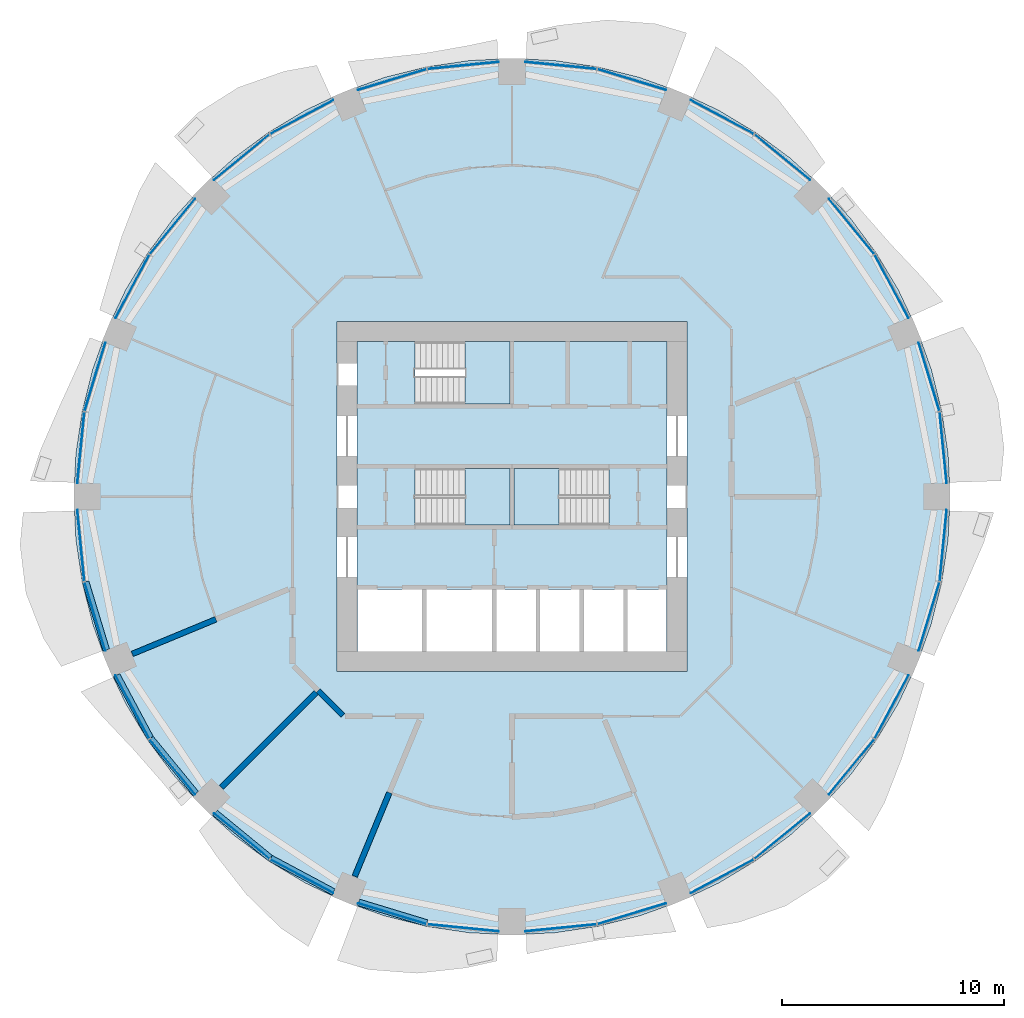
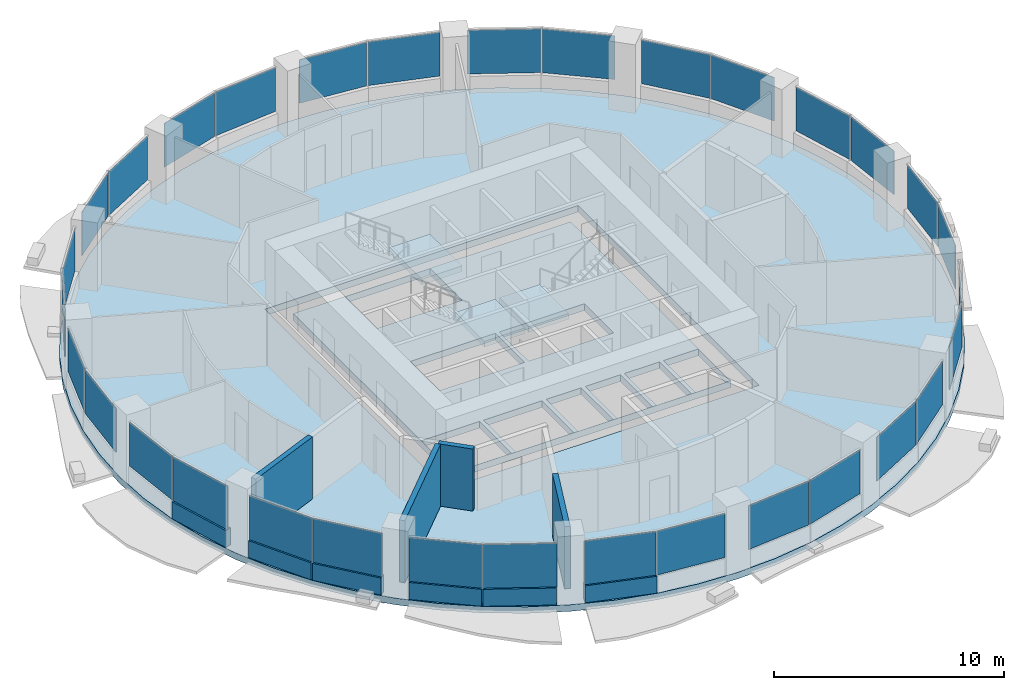
# One storey, part 7 of 15: 32 plates, 10 walls, 5 slabs, 19 elements without a shape of their own.
"""IFC4 building model written with IfcOpenShell, lengths in metres."""

from ifc_helpers import new_model, si_unit, direction, frame, frame_2d, origin, origin_2d, place, context, subcontext, project, spatial, polyline, rectangle, outline, extrude, material, layer, layer_set, type_object, element, aggregate, save


model = new_model("IFC4")

# Units and contexts
model_context = context("Model", 3, precision=1e-05, world=origin(), true_north=direction((0.0, 1.0)))
body_context = subcontext(model_context, "Body", "Model", "MODEL_VIEW")
ifc_project = project(units=[si_unit("LENGTHUNIT", "METRE"), si_unit("AREAUNIT", "SQUARE_METRE"), si_unit("VOLUMEUNIT", "CUBIC_METRE"), si_unit("PLANEANGLEUNIT", "RADIAN"), si_unit("MASSUNIT", "GRAM", prefix="KILO")], contexts=[model_context])

# Site, building, storey
site_placement = place(None, origin())
site = spatial("IfcSite", under=ifc_project, at=site_placement, CompositionType="ELEMENT")
building_placement = place(site_placement, origin())
building = spatial("IfcBuilding", under=site, at=building_placement, Name="Polderwave Tower", CompositionType="ELEMENT")
storey_placement = place(building_placement, frame((0.0, 0.0, 44.449951171875)))
storey = spatial("IfcBuildingStorey", under=building, at=storey_placement, Name="L11", CompositionType="ELEMENT", Elevation=44.449951171875)

# Slab
ifc_material_1 = material(Name="Concrete C40/50", Category="concrete")
ifc_layer_1 = layer(ifc_material_1, 0.35009765625)
ifc_layer_set_1 = layer_set([ifc_layer_1], Name="Core floor slab 350")
slab_type_1 = type_object("IfcSlabType", Name="Core floor slab 350", PredefinedType="FLOOR", material=ifc_layer_set_1)
slab_1_placement = place(storey_placement, frame((0.0, 0.0, -0.349853515625)))
element("IfcSlab", 1, at=slab_1_placement, inside=storey, type_object=slab_type_1, Name="L11 core floor", PredefinedType="FLOOR", context=body_context, shape_type="SweptSolid", body=[
    extrude(outline(polyline([(-6.97412109375, -6.97412109375), (6.97412109375, -6.97412109375), (6.97412109375, 6.97412109375), (-6.97412109375, 6.97412109375), (-6.97412109375, -6.97412109375)]), holes=[polyline([(-6.9541015625, -6.9541015625), (-4.037109375, -6.9541015625), (-4.037109375, -4.174072265625), (-6.9541015625, -4.174072265625), (-6.9541015625, -6.9541015625)]), polyline([(-3.8369140625, -6.9541015625), (-0.89990234375, -6.9541015625), (-0.89990234375, -4.174072265625), (-3.8369140625, -4.174072265625), (-3.8369140625, -6.9541015625)]), polyline([(-0.699951171875, -6.9541015625), (1.068603515625, -6.9541015625), (1.068603515625, -4.174072265625), (-0.699951171875, -4.174072265625), (-0.699951171875, -6.9541015625)]), polyline([(1.2685546875, -6.9541015625), (3.037109375, -6.9541015625), (3.037109375, -4.174072265625), (1.2685546875, -4.174072265625), (1.2685546875, -6.9541015625)]), polyline([(3.237060546875, -6.9541015625), (5.005615234375, -6.9541015625), (5.005615234375, -4.174072265625), (3.237060546875, -4.174072265625), (3.237060546875, -6.9541015625)]), polyline([(5.20556640625, -6.9541015625), (6.9541015625, -6.9541015625), (6.9541015625, -4.174072265625), (5.20556640625, -4.174072265625), (5.20556640625, -6.9541015625)]), polyline([(-4.37353515625, -1.2744140625), (-0.1005859375, -1.2744140625), (-0.1005859375, 1.2744140625), (-4.37353515625, 1.2744140625), (-4.37353515625, -1.2744140625)]), polyline([(0.1005859375, -1.2744140625), (4.37353515625, -1.2744140625), (4.37353515625, 1.2744140625), (0.1005859375, 1.2744140625), (0.1005859375, -1.2744140625)]), polyline([(-4.37353515625, 4.174560546875), (-0.1005859375, 4.174560546875), (-0.1005859375, 6.9541015625), (-4.37353515625, 6.9541015625), (-4.37353515625, 4.174560546875)])]), origin(), (0.0, 0.0, 1.0), 0.349853515625),
])

# Curtain wall, plates
ifc_material_2 = material(Name="Aluminium 6063-T6 and glass", Category="aluminium")
curtain_wall_type = type_object("IfcCurtainWallType", Name="Growing floor ribbon glazing wall", PredefinedType="NOTDEFINED", material=ifc_material_2)
curtain_wall_1_placement = place(storey_placement, origin())
curtain_wall_1 = element("IfcCurtainWall", 2, at=curtain_wall_1_placement, inside=storey, type_object=curtain_wall_type, Name="CW2 L11 00", PredefinedType="NOTDEFINED")
ifc_material_3 = material(Name="Glass, low-e laminated double glazing", Category="glass")
ifc_layer_2 = layer(ifc_material_3, 0.028076171875)
ifc_layer_set_2 = layer_set([ifc_layer_2], Name="Growing floor ribbon glazing glass panel 28 mm")
plate_type = type_object("IfcPlateType", Name="Growing floor ribbon glazing glass panel 28 mm", PredefinedType="CURTAIN_PANEL", material=ifc_layer_set_2)
plate_1_placement = place(storey_placement, frame((19.3935546875, 2.197998046875, 0.89990234375), z_axis=(0.0, 0.0, 1.0), x_axis=(-0.098098775475, 0.995176682931, 0.0)))
plate_1 = element("IfcPlate", 3, at=plate_1_placement, type_object=plate_type, Name="CW2 panel 1", PredefinedType="CURTAIN_PANEL", context=body_context, shape_type="SweptSolid", body=[
    extrude(rectangle(XDim=3.211669921875, YDim=0.028076171875, at=origin_2d()), origin(), (0.0, 0.0, 1.0), 2.320068359375),
])
plate_2_placement = place(storey_placement, frame((18.758056640625, 5.390869140625, 0.89990234375), z_axis=(0.0, 0.0, 1.0), x_axis=(-0.290374865467, 0.956912972796, 0.0)))
plate_2 = element("IfcPlate", 4, at=plate_2_placement, type_object=plate_type, Name="CW2 panel 2", PredefinedType="CURTAIN_PANEL", context=body_context, shape_type="SweptSolid", body=[
    extrude(rectangle(XDim=3.210693359375, YDim=0.028076171875, at=origin_2d()), origin(), (0.0, 0.0, 1.0), 2.320068359375),
])
aggregate(curtain_wall_1, [plate_1, plate_2])

curtain_wall_2_placement = place(storey_placement, origin())
curtain_wall_2 = element("IfcCurtainWall", 5, at=curtain_wall_2_placement, inside=storey, type_object=curtain_wall_type, Name="CW2 L11 01", PredefinedType="NOTDEFINED")
plate_3_placement = place(storey_placement, frame((17.076171875, 9.452392578125, 0.89990234375), z_axis=(0.0, 0.0, 1.0), x_axis=(-0.471356716023, 0.881942654746, 0.0)))
plate_3 = element("IfcPlate", 6, at=plate_3_placement, type_object=plate_type, Name="CW2 panel 1", PredefinedType="CURTAIN_PANEL", context=body_context, shape_type="SweptSolid", body=[
    extrude(rectangle(XDim=3.211669921875, YDim=0.028076171875, at=origin_2d()), origin(), (0.0, 0.0, 1.0), 2.320068359375),
])
plate_4_placement = place(storey_placement, frame((15.267578125, 12.1591796875, 0.89990234375), z_axis=(0.0, 0.0, 1.0), x_axis=(-0.634429710719, 0.772980557425, 0.0)))
plate_4 = element("IfcPlate", 7, at=plate_4_placement, type_object=plate_type, Name="CW2 panel 2", PredefinedType="CURTAIN_PANEL", context=body_context, shape_type="SweptSolid", body=[
    extrude(rectangle(XDim=3.210693359375, YDim=0.028076171875, at=origin_2d()), origin(), (0.0, 0.0, 1.0), 2.320068359375),
])
aggregate(curtain_wall_2, [plate_3, plate_4])

curtain_wall_3_placement = place(storey_placement, origin())
curtain_wall_3 = element("IfcCurtainWall", 8, at=curtain_wall_3_placement, inside=storey, type_object=curtain_wall_type, Name="CW2 L11 02", PredefinedType="NOTDEFINED")
plate_5_placement = place(storey_placement, frame((12.1591796875, 15.267578125, 0.89990234375), z_axis=(0.0, 0.0, 1.0), x_axis=(-0.772980557425, 0.634429710719, 0.0)))
plate_5 = element("IfcPlate", 9, at=plate_5_placement, type_object=plate_type, Name="CW2 panel 1", PredefinedType="CURTAIN_PANEL", context=body_context, shape_type="SweptSolid", body=[
    extrude(rectangle(XDim=3.210693359375, YDim=0.028076171875, at=origin_2d()), origin(), (0.0, 0.0, 1.0), 2.320068359375),
])
plate_6_placement = place(storey_placement, frame((9.452392578125, 17.076171875, 0.89990234375), z_axis=(0.0, 0.0, 1.0), x_axis=(-0.881942654746, 0.471356716023, 0.0)))
plate_6 = element("IfcPlate", 10, at=plate_6_placement, type_object=plate_type, Name="CW2 panel 2", PredefinedType="CURTAIN_PANEL", context=body_context, shape_type="SweptSolid", body=[
    extrude(rectangle(XDim=3.211669921875, YDim=0.028076171875, at=origin_2d()), origin(), (0.0, 0.0, 1.0), 2.320068359375),
])
aggregate(curtain_wall_3, [plate_5, plate_6])

curtain_wall_4_placement = place(storey_placement, origin())
curtain_wall_4 = element("IfcCurtainWall", 11, at=curtain_wall_4_placement, inside=storey, type_object=curtain_wall_type, Name="CW2 L11 03", PredefinedType="NOTDEFINED")
plate_7_placement = place(storey_placement, frame((5.390869140625, 18.758056640625, 0.89990234375), z_axis=(0.0, 0.0, 1.0), x_axis=(-0.956912972796, 0.290374865467, 0.0)))
plate_7 = element("IfcPlate", 12, at=plate_7_placement, type_object=plate_type, Name="CW2 panel 1", PredefinedType="CURTAIN_PANEL", context=body_context, shape_type="SweptSolid", body=[
    extrude(rectangle(XDim=3.210693359375, YDim=0.028076171875, at=origin_2d()), origin(), (0.0, 0.0, 1.0), 2.320068359375),
])
plate_8_placement = place(storey_placement, frame((2.197998046875, 19.3935546875, 0.89990234375), z_axis=(0.0, 0.0, 1.0), x_axis=(-0.995176682931, 0.098098775475, 0.0)))
plate_8 = element("IfcPlate", 13, at=plate_8_placement, type_object=plate_type, Name="CW2 panel 2", PredefinedType="CURTAIN_PANEL", context=body_context, shape_type="SweptSolid", body=[
    extrude(rectangle(XDim=3.211669921875, YDim=0.028076171875, at=origin_2d()), origin(), (0.0, 0.0, 1.0), 2.320068359375),
])
aggregate(curtain_wall_4, [plate_7, plate_8])

curtain_wall_5_placement = place(storey_placement, origin())
curtain_wall_5 = element("IfcCurtainWall", 14, at=curtain_wall_5_placement, inside=storey, type_object=curtain_wall_type, Name="CW2 L11 04", PredefinedType="NOTDEFINED")
plate_9_placement = place(storey_placement, frame((-2.197998046875, 19.3935546875, 0.89990234375), z_axis=(0.0, 0.0, 1.0), x_axis=(-0.995176682931, -0.098098775475, 0.0)))
plate_9 = element("IfcPlate", 15, at=plate_9_placement, type_object=plate_type, Name="CW2 panel 1", PredefinedType="CURTAIN_PANEL", context=body_context, shape_type="SweptSolid", body=[
    extrude(rectangle(XDim=3.211669921875, YDim=0.028076171875, at=origin_2d()), origin(), (0.0, 0.0, 1.0), 2.320068359375),
])
plate_10_placement = place(storey_placement, frame((-5.390869140625, 18.758056640625, 0.89990234375), z_axis=(0.0, 0.0, 1.0), x_axis=(-0.956912972796, -0.290374865467, 0.0)))
plate_10 = element("IfcPlate", 16, at=plate_10_placement, type_object=plate_type, Name="CW2 panel 2", PredefinedType="CURTAIN_PANEL", context=body_context, shape_type="SweptSolid", body=[
    extrude(rectangle(XDim=3.210693359375, YDim=0.028076171875, at=origin_2d()), origin(), (0.0, 0.0, 1.0), 2.320068359375),
])
aggregate(curtain_wall_5, [plate_9, plate_10])

curtain_wall_6_placement = place(storey_placement, origin())
curtain_wall_6 = element("IfcCurtainWall", 17, at=curtain_wall_6_placement, inside=storey, type_object=curtain_wall_type, Name="CW2 L11 05", PredefinedType="NOTDEFINED")
plate_11_placement = place(storey_placement, frame((-9.452392578125, 17.076171875, 0.89990234375), z_axis=(0.0, 0.0, 1.0), x_axis=(-0.881942654746, -0.471356716023, 0.0)))
plate_11 = element("IfcPlate", 18, at=plate_11_placement, type_object=plate_type, Name="CW2 panel 1", PredefinedType="CURTAIN_PANEL", context=body_context, shape_type="SweptSolid", body=[
    extrude(rectangle(XDim=3.211669921875, YDim=0.028076171875, at=origin_2d()), origin(), (0.0, 0.0, 1.0), 2.320068359375),
])
plate_12_placement = place(storey_placement, frame((-12.1591796875, 15.267578125, 0.89990234375), z_axis=(0.0, 0.0, 1.0), x_axis=(-0.772980557425, -0.634429710719, 0.0)))
plate_12 = element("IfcPlate", 19, at=plate_12_placement, type_object=plate_type, Name="CW2 panel 2", PredefinedType="CURTAIN_PANEL", context=body_context, shape_type="SweptSolid", body=[
    extrude(rectangle(XDim=3.210693359375, YDim=0.028076171875, at=origin_2d()), origin(), (0.0, 0.0, 1.0), 2.320068359375),
])
aggregate(curtain_wall_6, [plate_11, plate_12])

curtain_wall_7_placement = place(storey_placement, origin())
curtain_wall_7 = element("IfcCurtainWall", 20, at=curtain_wall_7_placement, inside=storey, type_object=curtain_wall_type, Name="CW2 L11 06", PredefinedType="NOTDEFINED")
plate_13_placement = place(storey_placement, frame((-15.267578125, 12.1591796875, 0.89990234375), z_axis=(0.0, 0.0, 1.0), x_axis=(-0.634429710719, -0.772980557425, 0.0)))
plate_13 = element("IfcPlate", 21, at=plate_13_placement, type_object=plate_type, Name="CW2 panel 1", PredefinedType="CURTAIN_PANEL", context=body_context, shape_type="SweptSolid", body=[
    extrude(rectangle(XDim=3.210693359375, YDim=0.028076171875, at=origin_2d()), origin(), (0.0, 0.0, 1.0), 2.320068359375),
])
plate_14_placement = place(storey_placement, frame((-17.076171875, 9.452392578125, 0.89990234375), z_axis=(0.0, 0.0, 1.0), x_axis=(-0.471356716023, -0.881942654746, 0.0)))
plate_14 = element("IfcPlate", 22, at=plate_14_placement, type_object=plate_type, Name="CW2 panel 2", PredefinedType="CURTAIN_PANEL", context=body_context, shape_type="SweptSolid", body=[
    extrude(rectangle(XDim=3.211669921875, YDim=0.028076171875, at=origin_2d()), origin(), (0.0, 0.0, 1.0), 2.320068359375),
])
aggregate(curtain_wall_7, [plate_13, plate_14])

curtain_wall_8_placement = place(storey_placement, origin())
curtain_wall_8 = element("IfcCurtainWall", 23, at=curtain_wall_8_placement, inside=storey, type_object=curtain_wall_type, Name="CW2 L11 07", PredefinedType="NOTDEFINED")
plate_15_placement = place(storey_placement, frame((-18.758056640625, 5.390869140625, 0.89990234375), z_axis=(0.0, 0.0, 1.0), x_axis=(-0.290374865467, -0.956912972796, 0.0)))
plate_15 = element("IfcPlate", 24, at=plate_15_placement, type_object=plate_type, Name="CW2 panel 1", PredefinedType="CURTAIN_PANEL", context=body_context, shape_type="SweptSolid", body=[
    extrude(rectangle(XDim=3.210693359375, YDim=0.028076171875, at=origin_2d()), origin(), (0.0, 0.0, 1.0), 2.320068359375),
])
plate_16_placement = place(storey_placement, frame((-19.3935546875, 2.197998046875, 0.89990234375), z_axis=(0.0, 0.0, 1.0), x_axis=(-0.098098775475, -0.995176682931, 0.0)))
plate_16 = element("IfcPlate", 25, at=plate_16_placement, type_object=plate_type, Name="CW2 panel 2", PredefinedType="CURTAIN_PANEL", context=body_context, shape_type="SweptSolid", body=[
    extrude(rectangle(XDim=3.211669921875, YDim=0.028076171875, at=origin_2d()), origin(), (0.0, 0.0, 1.0), 2.320068359375),
])
aggregate(curtain_wall_8, [plate_15, plate_16])

curtain_wall_9_placement = place(storey_placement, origin())
curtain_wall_9 = element("IfcCurtainWall", 26, at=curtain_wall_9_placement, inside=storey, type_object=curtain_wall_type, Name="CW2 L11 08", PredefinedType="NOTDEFINED")
plate_17_placement = place(storey_placement, frame((-19.3935546875, -2.197998046875, 0.89990234375), z_axis=(0.0, 0.0, 1.0), x_axis=(0.098098775475, -0.995176682931, 0.0)))
plate_17 = element("IfcPlate", 27, at=plate_17_placement, type_object=plate_type, Name="CW2 panel 1", PredefinedType="CURTAIN_PANEL", context=body_context, shape_type="SweptSolid", body=[
    extrude(rectangle(XDim=3.211669921875, YDim=0.028076171875, at=origin_2d()), origin(), (0.0, 0.0, 1.0), 2.320068359375),
])
plate_18_placement = place(storey_placement, frame((-18.758056640625, -5.390869140625, 0.89990234375), z_axis=(0.0, 0.0, 1.0), x_axis=(0.290374865467, -0.956912972796, 0.0)))
plate_18 = element("IfcPlate", 28, at=plate_18_placement, type_object=plate_type, Name="CW2 panel 2", PredefinedType="CURTAIN_PANEL", context=body_context, shape_type="SweptSolid", body=[
    extrude(rectangle(XDim=3.210693359375, YDim=0.028076171875, at=origin_2d()), origin(), (0.0, 0.0, 1.0), 2.320068359375),
])
aggregate(curtain_wall_9, [plate_17, plate_18])

curtain_wall_10_placement = place(storey_placement, origin())
curtain_wall_10 = element("IfcCurtainWall", 29, at=curtain_wall_10_placement, inside=storey, type_object=curtain_wall_type, Name="CW2 L11 09", PredefinedType="NOTDEFINED")
plate_19_placement = place(storey_placement, frame((-17.076171875, -9.452392578125, 0.89990234375), z_axis=(0.0, 0.0, 1.0), x_axis=(0.471356716023, -0.881942654746, 0.0)))
plate_19 = element("IfcPlate", 30, at=plate_19_placement, type_object=plate_type, Name="CW2 panel 1", PredefinedType="CURTAIN_PANEL", context=body_context, shape_type="SweptSolid", body=[
    extrude(rectangle(XDim=3.211669921875, YDim=0.028076171875, at=origin_2d()), origin(), (0.0, 0.0, 1.0), 2.320068359375),
])
plate_20_placement = place(storey_placement, frame((-15.267578125, -12.1591796875, 0.89990234375), z_axis=(0.0, 0.0, 1.0), x_axis=(0.634429710719, -0.772980557425, 0.0)))
plate_20 = element("IfcPlate", 31, at=plate_20_placement, type_object=plate_type, Name="CW2 panel 2", PredefinedType="CURTAIN_PANEL", context=body_context, shape_type="SweptSolid", body=[
    extrude(rectangle(XDim=3.210693359375, YDim=0.028076171875, at=origin_2d()), origin(), (0.0, 0.0, 1.0), 2.320068359375),
])
aggregate(curtain_wall_10, [plate_19, plate_20])

curtain_wall_11_placement = place(storey_placement, origin())
curtain_wall_11 = element("IfcCurtainWall", 32, at=curtain_wall_11_placement, inside=storey, type_object=curtain_wall_type, Name="CW2 L11 10", PredefinedType="NOTDEFINED")
plate_21_placement = place(storey_placement, frame((-12.1591796875, -15.267578125, 0.89990234375), z_axis=(0.0, 0.0, 1.0), x_axis=(0.772980557425, -0.634429710719, 0.0)))
plate_21 = element("IfcPlate", 33, at=plate_21_placement, type_object=plate_type, Name="CW2 panel 1", PredefinedType="CURTAIN_PANEL", context=body_context, shape_type="SweptSolid", body=[
    extrude(rectangle(XDim=3.210693359375, YDim=0.028076171875, at=origin_2d()), origin(), (0.0, 0.0, 1.0), 2.320068359375),
])
plate_22_placement = place(storey_placement, frame((-9.452392578125, -17.076171875, 0.89990234375), z_axis=(0.0, 0.0, 1.0), x_axis=(0.881942654746, -0.471356716023, 0.0)))
plate_22 = element("IfcPlate", 34, at=plate_22_placement, type_object=plate_type, Name="CW2 panel 2", PredefinedType="CURTAIN_PANEL", context=body_context, shape_type="SweptSolid", body=[
    extrude(rectangle(XDim=3.211669921875, YDim=0.028076171875, at=origin_2d()), origin(), (0.0, 0.0, 1.0), 2.320068359375),
])
aggregate(curtain_wall_11, [plate_21, plate_22])

curtain_wall_12_placement = place(storey_placement, origin())
curtain_wall_12 = element("IfcCurtainWall", 35, at=curtain_wall_12_placement, inside=storey, type_object=curtain_wall_type, Name="CW2 L11 11", PredefinedType="NOTDEFINED")
plate_23_placement = place(storey_placement, frame((-5.390869140625, -18.758056640625, 0.89990234375), z_axis=(0.0, 0.0, 1.0), x_axis=(0.956912972796, -0.290374865467, 0.0)))
plate_23 = element("IfcPlate", 36, at=plate_23_placement, type_object=plate_type, Name="CW2 panel 1", PredefinedType="CURTAIN_PANEL", context=body_context, shape_type="SweptSolid", body=[
    extrude(rectangle(XDim=3.210693359375, YDim=0.028076171875, at=origin_2d()), origin(), (0.0, 0.0, 1.0), 2.320068359375),
])
plate_24_placement = place(storey_placement, frame((-2.197998046875, -19.3935546875, 0.89990234375), z_axis=(0.0, 0.0, 1.0), x_axis=(0.995176682931, -0.098098775475, 0.0)))
plate_24 = element("IfcPlate", 37, at=plate_24_placement, type_object=plate_type, Name="CW2 panel 2", PredefinedType="CURTAIN_PANEL", context=body_context, shape_type="SweptSolid", body=[
    extrude(rectangle(XDim=3.211669921875, YDim=0.028076171875, at=origin_2d()), origin(), (0.0, 0.0, 1.0), 2.320068359375),
])
aggregate(curtain_wall_12, [plate_23, plate_24])

curtain_wall_13_placement = place(storey_placement, origin())
curtain_wall_13 = element("IfcCurtainWall", 38, at=curtain_wall_13_placement, inside=storey, type_object=curtain_wall_type, Name="CW2 L11 12", PredefinedType="NOTDEFINED")
plate_25_placement = place(storey_placement, frame((2.197998046875, -19.3935546875, 0.89990234375), z_axis=(0.0, 0.0, 1.0), x_axis=(0.995176682931, 0.098098775475, 0.0)))
plate_25 = element("IfcPlate", 39, at=plate_25_placement, type_object=plate_type, Name="CW2 panel 1", PredefinedType="CURTAIN_PANEL", context=body_context, shape_type="SweptSolid", body=[
    extrude(rectangle(XDim=3.211669921875, YDim=0.028076171875, at=origin_2d()), origin(), (0.0, 0.0, 1.0), 2.320068359375),
])
plate_26_placement = place(storey_placement, frame((5.390869140625, -18.758056640625, 0.89990234375), z_axis=(0.0, 0.0, 1.0), x_axis=(0.956912972796, 0.290374865467, 0.0)))
plate_26 = element("IfcPlate", 40, at=plate_26_placement, type_object=plate_type, Name="CW2 panel 2", PredefinedType="CURTAIN_PANEL", context=body_context, shape_type="SweptSolid", body=[
    extrude(rectangle(XDim=3.210693359375, YDim=0.028076171875, at=origin_2d()), origin(), (0.0, 0.0, 1.0), 2.320068359375),
])
aggregate(curtain_wall_13, [plate_25, plate_26])

curtain_wall_14_placement = place(storey_placement, origin())
curtain_wall_14 = element("IfcCurtainWall", 41, at=curtain_wall_14_placement, inside=storey, type_object=curtain_wall_type, Name="CW2 L11 13", PredefinedType="NOTDEFINED")
plate_27_placement = place(storey_placement, frame((9.452392578125, -17.076171875, 0.89990234375), z_axis=(0.0, 0.0, 1.0), x_axis=(0.881942654746, 0.471356716023, 0.0)))
plate_27 = element("IfcPlate", 42, at=plate_27_placement, type_object=plate_type, Name="CW2 panel 1", PredefinedType="CURTAIN_PANEL", context=body_context, shape_type="SweptSolid", body=[
    extrude(rectangle(XDim=3.211669921875, YDim=0.028076171875, at=origin_2d()), origin(), (0.0, 0.0, 1.0), 2.320068359375),
])
plate_28_placement = place(storey_placement, frame((12.1591796875, -15.267578125, 0.89990234375), z_axis=(0.0, 0.0, 1.0), x_axis=(0.772980557425, 0.634429710719, 0.0)))
plate_28 = element("IfcPlate", 43, at=plate_28_placement, type_object=plate_type, Name="CW2 panel 2", PredefinedType="CURTAIN_PANEL", context=body_context, shape_type="SweptSolid", body=[
    extrude(rectangle(XDim=3.210693359375, YDim=0.028076171875, at=origin_2d()), origin(), (0.0, 0.0, 1.0), 2.320068359375),
])
aggregate(curtain_wall_14, [plate_27, plate_28])

curtain_wall_15_placement = place(storey_placement, origin())
curtain_wall_15 = element("IfcCurtainWall", 44, at=curtain_wall_15_placement, inside=storey, type_object=curtain_wall_type, Name="CW2 L11 14", PredefinedType="NOTDEFINED")
plate_29_placement = place(storey_placement, frame((15.267578125, -12.1591796875, 0.89990234375), z_axis=(0.0, 0.0, 1.0), x_axis=(0.634429710719, 0.772980557425, 0.0)))
plate_29 = element("IfcPlate", 45, at=plate_29_placement, type_object=plate_type, Name="CW2 panel 1", PredefinedType="CURTAIN_PANEL", context=body_context, shape_type="SweptSolid", body=[
    extrude(rectangle(XDim=3.210693359375, YDim=0.028076171875, at=origin_2d()), origin(), (0.0, 0.0, 1.0), 2.320068359375),
])
plate_30_placement = place(storey_placement, frame((17.076171875, -9.452392578125, 0.89990234375), z_axis=(0.0, 0.0, 1.0), x_axis=(0.471356716023, 0.881942654746, 0.0)))
plate_30 = element("IfcPlate", 46, at=plate_30_placement, type_object=plate_type, Name="CW2 panel 2", PredefinedType="CURTAIN_PANEL", context=body_context, shape_type="SweptSolid", body=[
    extrude(rectangle(XDim=3.211669921875, YDim=0.028076171875, at=origin_2d()), origin(), (0.0, 0.0, 1.0), 2.320068359375),
])
aggregate(curtain_wall_15, [plate_29, plate_30])

curtain_wall_16_placement = place(storey_placement, origin())
curtain_wall_16 = element("IfcCurtainWall", 47, at=curtain_wall_16_placement, inside=storey, type_object=curtain_wall_type, Name="CW2 L11 15", PredefinedType="NOTDEFINED")
plate_31_placement = place(storey_placement, frame((18.758056640625, -5.390869140625, 0.89990234375), z_axis=(0.0, 0.0, 1.0), x_axis=(0.290374865467, 0.956912972796, 0.0)))
plate_31 = element("IfcPlate", 48, at=plate_31_placement, type_object=plate_type, Name="CW2 panel 1", PredefinedType="CURTAIN_PANEL", context=body_context, shape_type="SweptSolid", body=[
    extrude(rectangle(XDim=3.210693359375, YDim=0.028076171875, at=origin_2d()), origin(), (0.0, 0.0, 1.0), 2.320068359375),
])
plate_32_placement = place(storey_placement, frame((19.3935546875, -2.197998046875, 0.89990234375), z_axis=(0.0, 0.0, 1.0), x_axis=(0.098098775475, 0.995176682931, 0.0)))
plate_32 = element("IfcPlate", 49, at=plate_32_placement, type_object=plate_type, Name="CW2 panel 2", PredefinedType="CURTAIN_PANEL", context=body_context, shape_type="SweptSolid", body=[
    extrude(rectangle(XDim=3.211669921875, YDim=0.028076171875, at=origin_2d()), origin(), (0.0, 0.0, 1.0), 2.320068359375),
])
aggregate(curtain_wall_16, [plate_31, plate_32])

# Slab
ifc_layer_3 = layer(ifc_material_1, 0.35009765625)
ifc_layer_set_3 = layer_set([ifc_layer_3], Name="PT FLOOR SLAB 350 C40/50")
slab_type_2 = type_object("IfcSlabType", Name="PT FLOOR SLAB 350 C40/50", PredefinedType="FLOOR", material=ifc_layer_set_3)
slab_2_placement = place(storey_placement, frame((0.0, 0.0, -0.349853515625)))
element("IfcSlab", 50, at=slab_2_placement, inside=storey, type_object=slab_type_2, Name="ST-SLAB-L11", PredefinedType="FLOOR", context=body_context, shape_type="SweptSolid", body=[
    extrude(outline(polyline([(19.7099609375, 0.0), (19.614990234375, 1.931884765625), (19.331298828125, 3.84521484375), (18.861328125, 5.721435546875), (18.209716796875, 7.542724609375), (17.3828125, 9.291259765625), (16.38818359375, 10.9501953125), (15.236083984375, 12.50390625), (13.93701171875, 13.93701171875), (12.50390625, 15.236083984375), (10.9501953125, 16.38818359375), (9.291259765625, 17.3828125), (7.542724609375, 18.209716796875), (5.721435546875, 18.861328125), (3.84521484375, 19.331298828125), (1.931884765625, 19.614990234375), (0.0, 19.7099609375), (-1.931884765625, 19.614990234375), (-3.84521484375, 19.331298828125), (-5.721435546875, 18.861328125), (-7.542724609375, 18.209716796875), (-9.291259765625, 17.3828125), (-10.9501953125, 16.38818359375), (-12.50390625, 15.236083984375), (-13.93701171875, 13.93701171875), (-15.236083984375, 12.50390625), (-16.38818359375, 10.9501953125), (-17.3828125, 9.291259765625), (-18.209716796875, 7.542724609375), (-18.861328125, 5.721435546875), (-19.331298828125, 3.84521484375), (-19.614990234375, 1.931884765625), (-19.7099609375, 0.0), (-19.614990234375, -1.931884765625), (-19.331298828125, -3.84521484375), (-18.861328125, -5.721435546875), (-18.209716796875, -7.542724609375), (-17.3828125, -9.291259765625), (-16.38818359375, -10.9501953125), (-15.236083984375, -12.50390625), (-13.93701171875, -13.93701171875), (-12.50390625, -15.236083984375), (-10.9501953125, -16.38818359375), (-9.291259765625, -17.3828125), (-7.542724609375, -18.209716796875), (-5.721435546875, -18.861328125), (-3.84521484375, -19.331298828125), (-1.931884765625, -19.614990234375), (0.0, -19.7099609375), (1.931884765625, -19.614990234375), (3.84521484375, -19.331298828125), (5.721435546875, -18.861328125), (7.542724609375, -18.209716796875), (9.291259765625, -17.3828125), (10.9501953125, -16.38818359375), (12.50390625, -15.236083984375), (13.93701171875, -13.93701171875), (15.236083984375, -12.50390625), (16.38818359375, -10.9501953125), (17.3828125, -9.291259765625), (18.209716796875, -7.542724609375), (18.861328125, -5.721435546875), (19.331298828125, -3.84521484375), (19.614990234375, -1.931884765625), (19.7099609375, 0.0)]), holes=[polyline([(-7.8740234375, -7.8740234375), (7.8740234375, -7.8740234375), (7.8740234375, 7.8740234375), (-7.8740234375, 7.8740234375), (-7.8740234375, -7.8740234375)])]), origin(), (0.0, 0.0, 1.0), 0.349853515625),
])

# Stair, slab
stair_type = type_object("IfcStairType", Name="Exit stair 1200 x 20 risers", PredefinedType="HALF_TURN_STAIR", material=ifc_material_1)
stair_1_placement = place(storey_placement, origin())
stair_1 = element("IfcStair", 51, at=stair_1_placement, inside=storey, type_object=stair_type, Name="L11 Exit stair A", PredefinedType="HALF_TURN_STAIR")
ifc_layer_4 = layer(ifc_material_1, 0.300048828125)
ifc_layer_set_4 = layer_set([ifc_layer_4], Name="Stair landing 300")
slab_type_3 = type_object("IfcSlabType", Name="Stair landing 300", PredefinedType="LANDING", material=ifc_layer_set_4)
slab_3_placement = place(storey_placement, frame((0.0, 0.0, 1.525146484375)))
slab_3 = element("IfcSlab", 52, at=slab_3_placement, type_object=slab_type_3, Name="ST-A landing 1", PredefinedType="LANDING", context=body_context, shape_type="SweptSolid", body=[
    extrude(outline(polyline([(-2.1240234375, -1.27490234375), (-0.10009765625, -1.27490234375), (-0.10009765625, 1.27490234375), (-2.1240234375, 1.27490234375), (-2.1240234375, -1.27490234375)])), origin(), (0.0, 0.0, 1.0), 0.2998046875),
])
aggregate(stair_1, [slab_3])

stair_2_placement = place(storey_placement, origin())
stair_2 = element("IfcStair", 53, at=stair_2_placement, inside=storey, type_object=stair_type, Name="L11 Exit stair B", PredefinedType="HALF_TURN_STAIR")
slab_4_placement = place(storey_placement, frame((0.0, 0.0, 1.525146484375)))
slab_4 = element("IfcSlab", 54, at=slab_4_placement, type_object=slab_type_3, Name="ST-B landing 1", PredefinedType="LANDING", context=body_context, shape_type="SweptSolid", body=[
    extrude(outline(polyline([(2.1240234375, 1.27490234375), (0.10009765625, 1.27490234375), (0.10009765625, -1.27490234375), (2.1240234375, -1.27490234375), (2.1240234375, 1.27490234375)])), origin(), (0.0, 0.0, 1.0), 0.2998046875),
])
aggregate(stair_2, [slab_4])

stair_3_placement = place(storey_placement, origin())
stair_3 = element("IfcStair", 55, at=stair_3_placement, inside=storey, type_object=stair_type, Name="L11 Exit stair C", PredefinedType="HALF_TURN_STAIR")
slab_5_placement = place(storey_placement, frame((0.0, 0.0, 1.525146484375)))
slab_5 = element("IfcSlab", 56, at=slab_5_placement, type_object=slab_type_3, Name="ST-C landing 1", PredefinedType="LANDING", context=body_context, shape_type="SweptSolid", body=[
    extrude(outline(polyline([(-2.1240234375, 4.174072265625), (-0.10009765625, 4.174072265625), (-0.10009765625, 6.97412109375), (-2.1240234375, 6.97412109375), (-2.1240234375, 4.174072265625)])), origin(), (0.0, 0.0, 1.0), 0.2998046875),
])
aggregate(stair_3, [slab_5])

# Walls
ifc_material_4 = material(Name="Concrete C50/60 (board-marked)", Category="concrete")
ifc_layer_5 = layer(ifc_material_4, 0.300048828125)
ifc_layer_set_5 = layer_set([ifc_layer_5], Name="Concrete spandrel upstand C50/60")
wall_type_1 = type_object("IfcWallType", Name="Concrete spandrel upstand C50/60", PredefinedType="SOLIDWALL", material=ifc_layer_set_5)
wall_1_placement = place(storey_placement, frame((-19.1796875, -3.830322265625, 0.0), z_axis=(0.0, 0.0, 1.0), x_axis=(0.290472877795, -0.956883225512, 0.0)))
element("IfcWall", 57, at=wall_1_placement, inside=storey, type_object=wall_type_1, Name="Spandrel L11 9b", PredefinedType="SOLIDWALL", context=body_context, shape_type="SweptSolid", body=[
    extrude(rectangle(XDim=3.202392578125, YDim=0.300048828125, at=frame_2d((1.60107421875, 0.0))), origin(), (0.0, 0.0, 1.0), 0.900146484375),
])
wall_2_placement = place(storey_placement, frame((-17.77978515625, -8.0283203125, 0.0), z_axis=(0.0, 0.0, 1.0), x_axis=(0.471284265614, -0.881981372243, 0.0)))
element("IfcWall", 58, at=wall_2_placement, inside=storey, type_object=wall_type_1, Name="Spandrel L11 10a", PredefinedType="SOLIDWALL", context=body_context, shape_type="SweptSolid", body=[
    extrude(rectangle(XDim=3.20361328125, YDim=0.300048828125, at=frame_2d((1.601806640625, 0.0))), origin(), (0.0, 0.0, 1.0), 0.900146484375),
])
for number, where, z_axis, x_axis, name in (
    (59, (-16.25341796875, -10.878662109375, 0.0), (0.0, 0.0, 1.0), (0.634233658611, -0.773141427091, 0.0), "Spandrel L11 10b"),
    (60, (-13.3544921875, -14.222412109375, 0.0), (0.0, 0.0, 1.0), (0.773141427091, -0.634233658611, 0.0), "Spandrel L11 11a"),
):
    element("IfcWall", number, at=place(storey_placement, frame(where, z_axis=z_axis, x_axis=x_axis)), inside=storey, type_object=wall_type_1, Name=name, PredefinedType="SOLIDWALL", context=body_context, shape_type="SweptSolid", body=[
        extrude(rectangle(XDim=3.202392578125, YDim=0.300048828125, at=frame_2d((1.60107421875, 0.0))), origin(), (0.0, 0.0, 1.0), 0.900146484375),
    ])
wall_3_placement = place(storey_placement, frame((-10.853759765625, -16.27001953125, 0.0), z_axis=(0.0, 0.0, 1.0), x_axis=(0.881981372243, -0.471284265614, 0.0)))
element("IfcWall", 61, at=wall_3_placement, inside=storey, type_object=wall_type_1, Name="Spandrel L11 11b", PredefinedType="SOLIDWALL", context=body_context, shape_type="SweptSolid", body=[
    extrude(rectangle(XDim=3.20361328125, YDim=0.300048828125, at=frame_2d((1.601806640625, 0.0))), origin(), (0.0, 0.0, 1.0), 0.900146484375),
])
wall_4_placement = place(storey_placement, frame((-6.89453125, -18.24951171875, 0.0), z_axis=(0.0, 0.0, 1.0), x_axis=(0.956883225512, -0.290472877795, 0.0)))
element("IfcWall", 62, at=wall_4_placement, inside=storey, type_object=wall_type_1, Name="Spandrel L11 12a", PredefinedType="SOLIDWALL", context=body_context, shape_type="SweptSolid", body=[
    extrude(rectangle(XDim=3.202392578125, YDim=0.300048828125, at=frame_2d((1.60107421875, 0.0))), origin(), (0.0, 0.0, 1.0), 0.900146484375),
])
ifc_material_5 = material(Name="Fire-resisting board on steel studs, mineral wool", Category="steel")
ifc_layer_6 = layer(ifc_material_5, 0.25)
ifc_layer_set_6 = layer_set([ifc_layer_6], Name="Plant room wall 250 mm EI 120")
wall_type_2 = type_object("IfcWallType", Name="Plant room wall 250 mm EI 120", PredefinedType="PARTITIONING", material=ifc_layer_set_6)
wall_5_placement = place(storey_placement, frame((-7.607666015625, -9.83740234375, 0.0), z_axis=(0.0, 0.0, 1.0), x_axis=(-0.707029353672, 0.707184200224, 0.0)))
element("IfcWall", 63, at=wall_5_placement, inside=storey, type_object=wall_type_2, Name="IN-L11-W016", PredefinedType="PARTITIONING", context=body_context, shape_type="SweptSolid", body=[
    extrude(rectangle(XDim=1.57666015625, YDim=0.25, at=frame_2d((0.788330078125, 0.0))), origin(), (0.0, 0.0, 1.0), 3.300048828125),
])
wall_6_placement = place(storey_placement, frame((-13.31298828125, -5.514404296875, 0.0), z_axis=(0.0, 0.0, 1.0), x_axis=(-0.923873536763, -0.382697907061, 0.0)))
element("IfcWall", 64, at=wall_6_placement, inside=storey, type_object=wall_type_2, Name="IN-L11-W053", PredefinedType="PARTITIONING", context=body_context, shape_type="SweptSolid", body=[
    extrude(rectangle(XDim=4.070068359375, YDim=0.25, at=frame_2d((2.03515625, 0.0))), origin(), (0.0, 0.0, 1.0), 3.300048828125),
])
wall_7_placement = place(storey_placement, frame((-13.0673828125, -13.0673828125, 0.0), z_axis=(0.0, 0.0, 1.0), x_axis=(0.707106781187, 0.707106781187, 0.0)))
element("IfcWall", 65, at=wall_7_placement, inside=storey, type_object=wall_type_2, Name="IN-L11-W054", PredefinedType="PARTITIONING", context=body_context, shape_type="SweptSolid", body=[
    extrude(rectangle(XDim=6.019775390625, YDim=0.25, at=frame_2d((3.009765625, 0.0))), origin(), (0.0, 0.0, 1.0), 3.300048828125),
])
wall_8_placement = place(storey_placement, frame((-5.514404296875, -13.31298828125, 0.0), z_axis=(0.0, 0.0, 1.0), x_axis=(-0.382697907061, -0.923873536763, 0.0)))
element("IfcWall", 66, at=wall_8_placement, inside=storey, type_object=wall_type_2, Name="IN-L11-W056", PredefinedType="PARTITIONING", context=body_context, shape_type="SweptSolid", body=[
    extrude(rectangle(XDim=4.070068359375, YDim=0.25, at=frame_2d((2.03515625, 0.0))), origin(), (0.0, 0.0, 1.0), 3.300048828125),
])

save(model, "model.ifc")
